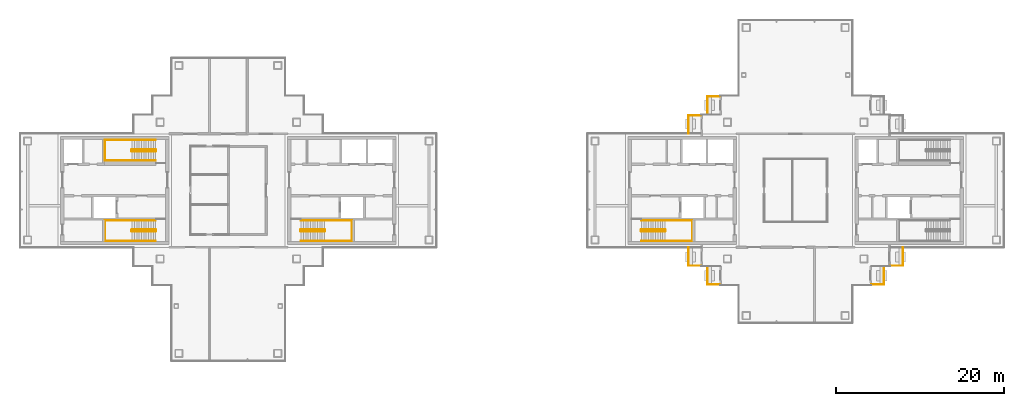
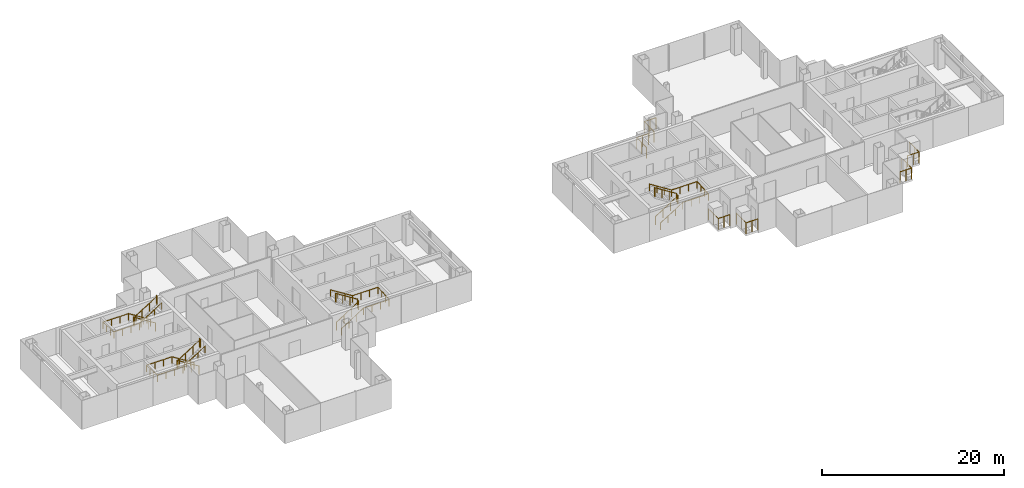
# One storey, part 14 of 16: 14 railings.
"""IFC4 building model written with IfcOpenShell, lengths in metres."""

from ifc_helpers import new_model, si_unit, direction, frame, origin, origin_2d, place, context, subcontext, project, spatial, circle, extrude, material, type_object, element, save


model = new_model("IFC4")

# Units and contexts
model_context = context("Model", 3, precision=1e-05, world=origin(), true_north=direction((0.0, 1.0)))
body_context = subcontext(model_context, "Body", "Model", "MODEL_VIEW")
ifc_project = project(units=[si_unit("LENGTHUNIT", "METRE"), si_unit("AREAUNIT", "SQUARE_METRE"), si_unit("VOLUMEUNIT", "CUBIC_METRE"), si_unit("PLANEANGLEUNIT", "RADIAN"), si_unit("MASSUNIT", "GRAM", prefix="KILO")], contexts=[model_context])

# Site, building, storey
site_placement = place(None, origin())
site = spatial("IfcSite", under=ifc_project, at=site_placement, CompositionType="ELEMENT")
building_placement = place(site_placement, origin())
building = spatial("IfcBuilding", under=site, at=building_placement, Name="Shamsa Quay Exchange Towers", CompositionType="ELEMENT")
storey_placement = place(building_placement, frame((0.0, 0.0, 242.10009765625)))
storey = spatial("IfcBuildingStorey", under=building, at=storey_placement, Name="L58", CompositionType="ELEMENT", Elevation=242.10009765625)

# Railings
ifc_material_1 = material(Name="Steel S355, black powder-coated", Category="steel")
railing_type_1 = type_object("IfcRailingType", Name="BALCONY GUARD 1500", PredefinedType="GUARDRAIL", material=ifc_material_1)
for number, where, name in (
    (1, (24.72900390625, 11.199951171875, 0.0), "Balcony guard T2-PKEN L58"),
    (2, (22.47900390625, 8.949951171875, 0.0), "Balcony guard T2-PKEN L58"),
):
    element("IfcRailing", number, at=place(storey_placement, frame(where)), inside=storey, type_object=railing_type_1, Name=name, PredefinedType="GUARDRAIL", context=body_context, shape_type="SweptSolid", body=[
        extrude(circle(Radius=0.02392578125, at=origin_2d()), frame((0.0, 0.0, 1.47607421875), z_axis=(-1.0, 0.0, 0.0), x_axis=(0.0, -1.0, 0.0)), (0.0, 0.0, 1.0), 1.47900390625),
        extrude(circle(Radius=0.02392578125, at=origin_2d()), frame((-1.47900390625, 0.0, 1.47607421875), z_axis=(0.0, -1.0, 0.0), x_axis=(1.0, 0.0, 0.0)), (0.0, 0.0, 1.0), 2.161865234375),
        extrude(circle(Radius=0.02099609375, at=origin_2d()), origin(), (0.0, 0.0, 1.0), 1.451904296875),
        extrude(circle(Radius=0.02099609375, at=origin_2d()), frame((-0.739501953125, 0.0, 0.0)), (0.0, 0.0, 1.0), 1.451904296875),
        extrude(circle(Radius=0.02099609375, at=origin_2d()), frame((-1.47900390625, 0.0, 0.0)), (0.0, 0.0, 1.0), 1.451904296875),
        extrude(circle(Radius=0.02099609375, at=origin_2d()), frame((-1.47900390625, -1.0810546875, 0.0)), (0.0, 0.0, 1.0), 1.451904296875),
        extrude(circle(Radius=0.02099609375, at=origin_2d()), frame((-1.47900390625, -2.161865234375, 0.0)), (0.0, 0.0, 1.0), 1.451904296875),
    ])
for number, where, name in (
    (3, (21.0, -6.7880859375, 0.0), "Balcony guard T2-PKWN L58"),
    (4, (23.25, -9.0380859375, 0.0), "Balcony guard T2-PKWN L58"),
):
    element("IfcRailing", number, at=place(storey_placement, frame(where)), inside=storey, type_object=railing_type_1, Name=name, PredefinedType="GUARDRAIL", context=body_context, shape_type="SweptSolid", body=[
        extrude(circle(Radius=0.02392578125, at=origin_2d()), frame((0.0, 0.0, 1.47607421875), z_axis=(0.0, -1.0, 0.0), x_axis=(1.0, 0.0, 0.0)), (0.0, 0.0, 1.0), 2.161865234375),
        extrude(circle(Radius=0.02392578125, at=origin_2d()), frame((0.0, -2.161865234375, 1.47607421875), z_axis=(1.0, 0.0, 0.0), x_axis=(0.0, 1.0, 0.0)), (0.0, 0.0, 1.0), 1.47900390625),
        extrude(circle(Radius=0.02099609375, at=origin_2d()), origin(), (0.0, 0.0, 1.0), 1.451904296875),
        extrude(circle(Radius=0.02099609375, at=origin_2d()), frame((0.0, -1.0810546875, 0.0)), (0.0, 0.0, 1.0), 1.451904296875),
        extrude(circle(Radius=0.02099609375, at=origin_2d()), frame((0.0, -2.161865234375, 0.0)), (0.0, 0.0, 1.0), 1.451904296875),
        extrude(circle(Radius=0.02099609375, at=origin_2d()), frame((0.739501953125, -2.161865234375, 0.0)), (0.0, 0.0, 1.0), 1.451904296875),
        extrude(circle(Radius=0.02099609375, at=origin_2d()), frame((1.47900390625, -2.161865234375, 0.0)), (0.0, 0.0, 1.0), 1.451904296875),
    ])
for number, where, name in (
    (5, (42.77099609375, -11.199951171875, 0.0), "Balcony guard T2-PKWS L58"),
    (6, (45.02099609375, -8.949951171875, 0.0), "Balcony guard T2-PKWS L58"),
):
    element("IfcRailing", number, at=place(storey_placement, frame(where)), inside=storey, type_object=railing_type_1, Name=name, PredefinedType="GUARDRAIL", context=body_context, shape_type="SweptSolid", body=[
        extrude(circle(Radius=0.02392578125, at=origin_2d()), frame((0.0, 0.0, 1.47607421875), z_axis=(1.0, 0.0, 0.0), x_axis=(0.0, 1.0, 0.0)), (0.0, 0.0, 1.0), 1.47900390625),
        extrude(circle(Radius=0.02392578125, at=origin_2d()), frame((1.47900390625, 0.0, 1.47607421875), z_axis=(0.0, 1.0, 0.0), x_axis=(-1.0, 0.0, 0.0)), (0.0, 0.0, 1.0), 2.161865234375),
        extrude(circle(Radius=0.02099609375, at=origin_2d()), origin(), (0.0, 0.0, 1.0), 1.451904296875),
        extrude(circle(Radius=0.02099609375, at=origin_2d()), frame((0.739501953125, 0.0, 0.0)), (0.0, 0.0, 1.0), 1.451904296875),
        extrude(circle(Radius=0.02099609375, at=origin_2d()), frame((1.47900390625, 0.0, 0.0)), (0.0, 0.0, 1.0), 1.451904296875),
        extrude(circle(Radius=0.02099609375, at=origin_2d()), frame((1.47900390625, 1.0810546875, 0.0)), (0.0, 0.0, 1.0), 1.451904296875),
        extrude(circle(Radius=0.02099609375, at=origin_2d()), frame((1.47900390625, 2.161865234375, 0.0)), (0.0, 0.0, 1.0), 1.451904296875),
    ])
ifc_material_2 = material(Name="Stainless steel", Category="steel")
railing_type_2 = type_object("IfcRailingType", Name="STAIR GUARD 1100", PredefinedType="GUARDRAIL", material=ifc_material_2)
railing_1_placement = place(storey_placement, frame((-25.10009765625, -4.89990234375, 0.17724609375)))
element("IfcRailing", 7, at=railing_1_placement, inside=storey, type_object=railing_type_2, Name="L58 ST1 stair guard 1", PredefinedType="GUARDRAIL", context=body_context, shape_type="SweptSolid", body=[
    extrude(circle(Radius=0.02392578125, at=origin_2d()), frame((0.0, 0.0, 1.076171875), z_axis=(0.844908973607, 0.0, 0.534910110503), x_axis=(0.0, 1.0, 0.0)), (0.0, 0.0, 1.0), 3.31396484375),
    extrude(circle(Radius=0.02392578125, at=origin_2d()), frame((2.800048828125, 0.0, 2.8486328125), z_axis=(0.708833529934, 0.705375805398, 0.0), x_axis=(-0.705375805398, 0.708833529934, 0.0)), (0.0, 0.0, 1.0), 0.070556640625),
    extrude(circle(Radius=0.02392578125, at=origin_2d()), frame((2.85009765625, 0.0498046875, 2.8486328125), z_axis=(0.0, 1.0, 0.0), x_axis=(-1.0, 0.0, 0.0)), (0.0, 0.0, 1.0), 0.150146484375),
    extrude(circle(Radius=0.02392578125, at=origin_2d()), frame((2.85009765625, 0.199951171875, 2.8486328125), z_axis=(-0.262233686654, 0.262233686654, 0.928691007369), x_axis=(-0.707106781187, -0.707106781187, 0.0)), (0.0, 0.0, 1.0), 0.19091796875),
    extrude(circle(Radius=0.02392578125, at=origin_2d()), frame((2.800048828125, 0.25, 3.02587890625), z_axis=(-0.844908973607, 0.0, 0.534910110503), x_axis=(0.0, -1.0, 0.0)), (0.0, 0.0, 1.0), 3.31396484375),
    extrude(circle(Radius=0.02392578125, at=origin_2d()), frame((0.0, 0.25, 4.798828125), z_axis=(-0.24142163986, -0.970420317083, 0.0), x_axis=(0.970420317083, -0.24142163986, 0.0)), (0.0, 0.0, 1.0), 0.206298828125),
    extrude(circle(Radius=0.02392578125, at=origin_2d()), frame((-0.0498046875, 0.0498046875, 4.798828125), z_axis=(0.0, 1.0, 0.0), x_axis=(-1.0, 0.0, 0.0)), (0.0, 0.0, 1.0), 0.150146484375),
    extrude(circle(Radius=0.02099609375, at=origin_2d()), origin(), (0.0, 0.0, 1.0), 1.052001953125),
    extrude(circle(Radius=0.02099609375, at=origin_2d()), frame((0.933349609375, 0.0, 0.5908203125)), (0.0, 0.0, 1.0), 1.052001953125),
    extrude(circle(Radius=0.02099609375, at=origin_2d()), frame((1.86669921875, 0.0, 1.181884765625)), (0.0, 0.0, 1.0), 1.052001953125),
    extrude(circle(Radius=0.02099609375, at=origin_2d()), frame((2.800048828125, 0.0, 1.772705078125)), (0.0, 0.0, 1.0), 1.052001953125),
    extrude(circle(Radius=0.02099609375, at=origin_2d()), frame((2.85009765625, 0.0498046875, 1.772705078125)), (0.0, 0.0, 1.0), 1.052001953125),
    extrude(circle(Radius=0.02099609375, at=origin_2d()), frame((2.85009765625, 0.199951171875, 1.772705078125)), (0.0, 0.0, 1.0), 1.052001953125),
    extrude(circle(Radius=0.02099609375, at=origin_2d()), frame((2.800048828125, 0.25, 1.949951171875)), (0.0, 0.0, 1.0), 1.052001953125),
    extrude(circle(Radius=0.02099609375, at=origin_2d()), frame((1.86669921875, 0.25, 2.540771484375)), (0.0, 0.0, 1.0), 1.052001953125),
    extrude(circle(Radius=0.02099609375, at=origin_2d()), frame((0.933349609375, 0.25, 3.1318359375)), (0.0, 0.0, 1.0), 1.052001953125),
    extrude(circle(Radius=0.02099609375, at=origin_2d()), frame((0.0, 0.25, 3.72265625)), (0.0, 0.0, 1.0), 1.052001953125),
    extrude(circle(Radius=0.02099609375, at=origin_2d()), frame((-0.0498046875, 0.0498046875, 3.72265625)), (0.0, 0.0, 1.0), 1.052001953125),
    extrude(circle(Radius=0.02099609375, at=origin_2d()), frame((-0.0498046875, 0.199951171875, 3.72265625)), (0.0, 0.0, 1.0), 1.052001953125),
])
railing_2_placement = place(storey_placement, frame((-42.39990234375, -4.64990234375, 0.17724609375)))
element("IfcRailing", 8, at=railing_2_placement, inside=storey, type_object=railing_type_2, Name="L58 ST2 stair guard 1", PredefinedType="GUARDRAIL", context=body_context, shape_type="SweptSolid", body=[
    extrude(circle(Radius=0.02392578125, at=origin_2d()), frame((0.0, 0.0, 1.076171875), z_axis=(-0.844908973607, 0.0, 0.534910110503), x_axis=(0.0, -1.0, 0.0)), (0.0, 0.0, 1.0), 3.31396484375),
    extrude(circle(Radius=0.02392578125, at=origin_2d()), frame((-2.800048828125, 0.0, 2.8486328125), z_axis=(-0.707106781187, -0.707106781187, 0.0), x_axis=(0.707106781187, -0.707106781187, 0.0)), (0.0, 0.0, 1.0), 0.07080078125),
    extrude(circle(Radius=0.02392578125, at=origin_2d()), frame((-2.85009765625, -0.050048828125, 2.8486328125), z_axis=(0.0, -1.0, 0.0), x_axis=(1.0, 0.0, 0.0)), (0.0, 0.0, 1.0), 0.150146484375),
    extrude(circle(Radius=0.02392578125, at=origin_2d()), frame((-2.85009765625, -0.2001953125, 2.8486328125), z_axis=(0.262321481514, -0.261041864531, 0.929001929653), x_axis=(0.705375805398, 0.708833529934, 0.0)), (0.0, 0.0, 1.0), 0.190673828125),
    extrude(circle(Radius=0.02392578125, at=origin_2d()), frame((-2.800048828125, -0.25, 3.02587890625), z_axis=(0.844908973607, 0.0, 0.534910110503), x_axis=(0.0, 1.0, 0.0)), (0.0, 0.0, 1.0), 3.31396484375),
    extrude(circle(Radius=0.02392578125, at=origin_2d()), frame((0.0, -0.25, 4.798828125), z_axis=(0.241699205484, 0.970351222016, 0.0), x_axis=(-0.970351222016, 0.241699205484, 0.0)), (0.0, 0.0, 1.0), 0.2060546875),
    extrude(circle(Radius=0.02392578125, at=origin_2d()), frame((0.0498046875, -0.050048828125, 4.798828125), z_axis=(0.0, -1.0, 0.0), x_axis=(1.0, 0.0, 0.0)), (0.0, 0.0, 1.0), 0.150146484375),
    extrude(circle(Radius=0.02099609375, at=origin_2d()), origin(), (0.0, 0.0, 1.0), 1.052001953125),
    extrude(circle(Radius=0.02099609375, at=origin_2d()), frame((-0.933349609375, 0.0, 0.5908203125)), (0.0, 0.0, 1.0), 1.052001953125),
    extrude(circle(Radius=0.02099609375, at=origin_2d()), frame((-1.86669921875, 0.0, 1.181884765625)), (0.0, 0.0, 1.0), 1.052001953125),
    extrude(circle(Radius=0.02099609375, at=origin_2d()), frame((-2.800048828125, 0.0, 1.772705078125)), (0.0, 0.0, 1.0), 1.052001953125),
    extrude(circle(Radius=0.02099609375, at=origin_2d()), frame((-2.85009765625, -0.050048828125, 1.772705078125)), (0.0, 0.0, 1.0), 1.052001953125),
    extrude(circle(Radius=0.02099609375, at=origin_2d()), frame((-2.85009765625, -0.2001953125, 1.772705078125)), (0.0, 0.0, 1.0), 1.052001953125),
    extrude(circle(Radius=0.02099609375, at=origin_2d()), frame((-2.800048828125, -0.25, 1.949951171875)), (0.0, 0.0, 1.0), 1.052001953125),
    extrude(circle(Radius=0.02099609375, at=origin_2d()), frame((-1.86669921875, -0.25, 2.540771484375)), (0.0, 0.0, 1.0), 1.052001953125),
    extrude(circle(Radius=0.02099609375, at=origin_2d()), frame((-0.933349609375, -0.25, 3.1318359375)), (0.0, 0.0, 1.0), 1.052001953125),
    extrude(circle(Radius=0.02099609375, at=origin_2d()), frame((0.0, -0.25, 3.72265625)), (0.0, 0.0, 1.0), 1.052001953125),
    extrude(circle(Radius=0.02099609375, at=origin_2d()), frame((0.0498046875, -0.050048828125, 3.72265625)), (0.0, 0.0, 1.0), 1.052001953125),
    extrude(circle(Radius=0.02099609375, at=origin_2d()), frame((0.0498046875, -0.2001953125, 3.72265625)), (0.0, 0.0, 1.0), 1.052001953125),
])
railing_3_placement = place(storey_placement, frame((-42.39990234375, 4.89990234375, 0.17724609375)))
element("IfcRailing", 9, at=railing_3_placement, inside=storey, type_object=railing_type_2, Name="L58 ST3 stair guard 1", PredefinedType="GUARDRAIL", context=body_context, shape_type="SweptSolid", body=[
    extrude(circle(Radius=0.02392578125, at=origin_2d()), frame((0.0, 0.0, 1.076171875), z_axis=(-0.844908973607, 0.0, 0.534910110503), x_axis=(0.0, -1.0, 0.0)), (0.0, 0.0, 1.0), 3.31396484375),
    extrude(circle(Radius=0.02392578125, at=origin_2d()), frame((-2.800048828125, 0.0, 2.8486328125), z_axis=(-0.708833529934, -0.705375805398, 0.0), x_axis=(0.705375805398, -0.708833529934, 0.0)), (0.0, 0.0, 1.0), 0.070556640625),
    extrude(circle(Radius=0.02392578125, at=origin_2d()), frame((-2.85009765625, -0.0498046875, 2.8486328125), z_axis=(0.0, -1.0, 0.0), x_axis=(1.0, 0.0, 0.0)), (0.0, 0.0, 1.0), 0.150146484375),
    extrude(circle(Radius=0.02392578125, at=origin_2d()), frame((-2.85009765625, -0.199951171875, 2.8486328125), z_axis=(0.262233686654, -0.262233686654, 0.928691007369), x_axis=(0.707106781187, 0.707106781187, 0.0)), (0.0, 0.0, 1.0), 0.19091796875),
    extrude(circle(Radius=0.02392578125, at=origin_2d()), frame((-2.800048828125, -0.25, 3.02587890625), z_axis=(0.844908973607, 0.0, 0.534910110503), x_axis=(0.0, 1.0, 0.0)), (0.0, 0.0, 1.0), 3.31396484375),
    extrude(circle(Radius=0.02392578125, at=origin_2d()), frame((0.0, -0.25, 4.798828125), z_axis=(0.24142163986, 0.970420317083, 0.0), x_axis=(-0.970420317083, 0.24142163986, 0.0)), (0.0, 0.0, 1.0), 0.206298828125),
    extrude(circle(Radius=0.02392578125, at=origin_2d()), frame((0.0498046875, -0.0498046875, 4.798828125), z_axis=(0.0, -1.0, 0.0), x_axis=(1.0, 0.0, 0.0)), (0.0, 0.0, 1.0), 0.150146484375),
    extrude(circle(Radius=0.02099609375, at=origin_2d()), origin(), (0.0, 0.0, 1.0), 1.052001953125),
    extrude(circle(Radius=0.02099609375, at=origin_2d()), frame((-0.933349609375, 0.0, 0.5908203125)), (0.0, 0.0, 1.0), 1.052001953125),
    extrude(circle(Radius=0.02099609375, at=origin_2d()), frame((-1.86669921875, 0.0, 1.181884765625)), (0.0, 0.0, 1.0), 1.052001953125),
    extrude(circle(Radius=0.02099609375, at=origin_2d()), frame((-2.800048828125, 0.0, 1.772705078125)), (0.0, 0.0, 1.0), 1.052001953125),
    extrude(circle(Radius=0.02099609375, at=origin_2d()), frame((-2.85009765625, -0.0498046875, 1.772705078125)), (0.0, 0.0, 1.0), 1.052001953125),
    extrude(circle(Radius=0.02099609375, at=origin_2d()), frame((-2.85009765625, -0.199951171875, 1.772705078125)), (0.0, 0.0, 1.0), 1.052001953125),
    extrude(circle(Radius=0.02099609375, at=origin_2d()), frame((-2.800048828125, -0.25, 1.949951171875)), (0.0, 0.0, 1.0), 1.052001953125),
    extrude(circle(Radius=0.02099609375, at=origin_2d()), frame((-1.86669921875, -0.25, 2.540771484375)), (0.0, 0.0, 1.0), 1.052001953125),
    extrude(circle(Radius=0.02099609375, at=origin_2d()), frame((-0.933349609375, -0.25, 3.1318359375)), (0.0, 0.0, 1.0), 1.052001953125),
    extrude(circle(Radius=0.02099609375, at=origin_2d()), frame((0.0, -0.25, 3.72265625)), (0.0, 0.0, 1.0), 1.052001953125),
    extrude(circle(Radius=0.02099609375, at=origin_2d()), frame((0.0498046875, -0.0498046875, 3.72265625)), (0.0, 0.0, 1.0), 1.052001953125),
    extrude(circle(Radius=0.02099609375, at=origin_2d()), frame((0.0498046875, -0.199951171875, 3.72265625)), (0.0, 0.0, 1.0), 1.052001953125),
])
railing_4_placement = place(storey_placement, frame((15.39990234375, -4.89990234375, 0.17724609375)))
element("IfcRailing", 10, at=railing_4_placement, inside=storey, type_object=railing_type_2, Name="L58 ST4 stair guard 1", PredefinedType="GUARDRAIL", context=body_context, shape_type="SweptSolid", body=[
    extrude(circle(Radius=0.02392578125, at=origin_2d()), frame((0.0, 0.0, 1.076171875), z_axis=(0.844908973607, 0.0, 0.534910110503), x_axis=(0.0, 1.0, 0.0)), (0.0, 0.0, 1.0), 3.31396484375),
    extrude(circle(Radius=0.02392578125, at=origin_2d()), frame((2.800048828125, 0.0, 2.8486328125), z_axis=(0.708833529934, 0.705375805398, 0.0), x_axis=(-0.705375805398, 0.708833529934, 0.0)), (0.0, 0.0, 1.0), 0.070556640625),
    extrude(circle(Radius=0.02392578125, at=origin_2d()), frame((2.85009765625, 0.0498046875, 2.8486328125), z_axis=(0.0, 1.0, 0.0), x_axis=(-1.0, 0.0, 0.0)), (0.0, 0.0, 1.0), 0.150146484375),
    extrude(circle(Radius=0.02392578125, at=origin_2d()), frame((2.85009765625, 0.199951171875, 2.8486328125), z_axis=(-0.262233686654, 0.262233686654, 0.928691007369), x_axis=(-0.707106781187, -0.707106781187, 0.0)), (0.0, 0.0, 1.0), 0.19091796875),
    extrude(circle(Radius=0.02392578125, at=origin_2d()), frame((2.800048828125, 0.25, 3.02587890625), z_axis=(-0.844908973607, 0.0, 0.534910110503), x_axis=(0.0, -1.0, 0.0)), (0.0, 0.0, 1.0), 3.31396484375),
    extrude(circle(Radius=0.02392578125, at=origin_2d()), frame((0.0, 0.25, 4.798828125), z_axis=(-0.24142163986, -0.970420317083, 0.0), x_axis=(0.970420317083, -0.24142163986, 0.0)), (0.0, 0.0, 1.0), 0.206298828125),
    extrude(circle(Radius=0.02392578125, at=origin_2d()), frame((-0.0498046875, 0.0498046875, 4.798828125), z_axis=(0.0, 1.0, 0.0), x_axis=(-1.0, 0.0, 0.0)), (0.0, 0.0, 1.0), 0.150146484375),
    extrude(circle(Radius=0.02099609375, at=origin_2d()), origin(), (0.0, 0.0, 1.0), 1.052001953125),
    extrude(circle(Radius=0.02099609375, at=origin_2d()), frame((0.933349609375, 0.0, 0.5908203125)), (0.0, 0.0, 1.0), 1.052001953125),
    extrude(circle(Radius=0.02099609375, at=origin_2d()), frame((1.86669921875, 0.0, 1.181884765625)), (0.0, 0.0, 1.0), 1.052001953125),
    extrude(circle(Radius=0.02099609375, at=origin_2d()), frame((2.800048828125, 0.0, 1.772705078125)), (0.0, 0.0, 1.0), 1.052001953125),
    extrude(circle(Radius=0.02099609375, at=origin_2d()), frame((2.85009765625, 0.0498046875, 1.772705078125)), (0.0, 0.0, 1.0), 1.052001953125),
    extrude(circle(Radius=0.02099609375, at=origin_2d()), frame((2.85009765625, 0.199951171875, 1.772705078125)), (0.0, 0.0, 1.0), 1.052001953125),
    extrude(circle(Radius=0.02099609375, at=origin_2d()), frame((2.800048828125, 0.25, 1.949951171875)), (0.0, 0.0, 1.0), 1.052001953125),
    extrude(circle(Radius=0.02099609375, at=origin_2d()), frame((1.86669921875, 0.25, 2.540771484375)), (0.0, 0.0, 1.0), 1.052001953125),
    extrude(circle(Radius=0.02099609375, at=origin_2d()), frame((0.933349609375, 0.25, 3.1318359375)), (0.0, 0.0, 1.0), 1.052001953125),
    extrude(circle(Radius=0.02099609375, at=origin_2d()), frame((0.0, 0.25, 3.72265625)), (0.0, 0.0, 1.0), 1.052001953125),
    extrude(circle(Radius=0.02099609375, at=origin_2d()), frame((-0.0498046875, 0.0498046875, 3.72265625)), (0.0, 0.0, 1.0), 1.052001953125),
    extrude(circle(Radius=0.02099609375, at=origin_2d()), frame((-0.0498046875, 0.199951171875, 3.72265625)), (0.0, 0.0, 1.0), 1.052001953125),
])
railing_type_3 = type_object("IfcRailingType", Name="STAIR HANDRAIL 900", PredefinedType="HANDRAIL", material=ifc_material_2)
railing_5_placement = place(storey_placement, frame((-25.10009765625, -6.0, 0.17724609375)))
element("IfcRailing", 11, at=railing_5_placement, inside=storey, type_object=railing_type_3, Name="L58 ST1 stair handrail 1", PredefinedType="HANDRAIL", context=body_context, shape_type="SweptSolid", body=[
    extrude(circle(Radius=0.02392578125, at=origin_2d()), frame((0.0, 0.0, 0.8759765625), z_axis=(0.844908973607, 0.0, 0.534910110503), x_axis=(0.0, 1.0, 0.0)), (0.0, 0.0, 1.0), 3.31396484375),
    extrude(circle(Radius=0.02392578125, at=origin_2d()), frame((2.800048828125, 0.0, 2.6484375), z_axis=(1.0, 0.0, 0.0), x_axis=(0.0, 1.0, 0.0)), (0.0, 0.0, 1.0), 3.25),
    extrude(circle(Radius=0.02392578125, at=origin_2d()), frame((6.050048828125, 0.0, 2.6484375), z_axis=(0.0, 0.997393199914, 0.07215819264), x_axis=(-1.0, 0.0, 0.0)), (0.0, 0.0, 1.0), 2.456298828125),
    extrude(circle(Radius=0.02392578125, at=origin_2d()), frame((6.050048828125, 2.449951171875, 2.82568359375), z_axis=(-1.0, 0.0, 0.0), x_axis=(0.0, -1.0, 0.0)), (0.0, 0.0, 1.0), 3.25),
    extrude(circle(Radius=0.02392578125, at=origin_2d()), frame((2.800048828125, 2.449951171875, 2.82568359375), z_axis=(-0.844908973607, 0.0, 0.534910110503), x_axis=(0.0, -1.0, 0.0)), (0.0, 0.0, 1.0), 3.31396484375),
    extrude(circle(Radius=0.02099609375, at=origin_2d()), origin(), (0.0, 0.0, 1.0), 0.851806640625),
    extrude(circle(Radius=0.02099609375, at=origin_2d()), frame((0.933349609375, 0.0, 0.5908203125)), (0.0, 0.0, 1.0), 0.851806640625),
    extrude(circle(Radius=0.02099609375, at=origin_2d()), frame((1.86669921875, 0.0, 1.181884765625)), (0.0, 0.0, 1.0), 0.851806640625),
    extrude(circle(Radius=0.02099609375, at=origin_2d()), frame((2.800048828125, 0.0, 1.772705078125)), (0.0, 0.0, 1.0), 0.851806640625),
    extrude(circle(Radius=0.02099609375, at=origin_2d()), frame((3.88330078125, 0.0, 1.772705078125)), (0.0, 0.0, 1.0), 0.851806640625),
    extrude(circle(Radius=0.02099609375, at=origin_2d()), frame((4.966796875, 0.0, 1.772705078125)), (0.0, 0.0, 1.0), 0.851806640625),
    extrude(circle(Radius=0.02099609375, at=origin_2d()), frame((6.050048828125, 0.0, 1.772705078125)), (0.0, 0.0, 1.0), 0.851806640625),
    extrude(circle(Radius=0.02099609375, at=origin_2d()), frame((6.050048828125, 0.816650390625, 1.831787109375)), (0.0, 0.0, 1.0), 0.851806640625),
    extrude(circle(Radius=0.02099609375, at=origin_2d()), frame((6.050048828125, 1.63330078125, 1.890869140625)), (0.0, 0.0, 1.0), 0.851806640625),
    extrude(circle(Radius=0.02099609375, at=origin_2d()), frame((6.050048828125, 2.449951171875, 1.949951171875)), (0.0, 0.0, 1.0), 0.851806640625),
    extrude(circle(Radius=0.02099609375, at=origin_2d()), frame((4.966796875, 2.449951171875, 1.949951171875)), (0.0, 0.0, 1.0), 0.851806640625),
    extrude(circle(Radius=0.02099609375, at=origin_2d()), frame((3.88330078125, 2.449951171875, 1.949951171875)), (0.0, 0.0, 1.0), 0.851806640625),
    extrude(circle(Radius=0.02099609375, at=origin_2d()), frame((2.800048828125, 2.449951171875, 1.949951171875)), (0.0, 0.0, 1.0), 0.851806640625),
    extrude(circle(Radius=0.02099609375, at=origin_2d()), frame((1.86669921875, 2.449951171875, 2.540771484375)), (0.0, 0.0, 1.0), 0.851806640625),
    extrude(circle(Radius=0.02099609375, at=origin_2d()), frame((0.933349609375, 2.449951171875, 3.1318359375)), (0.0, 0.0, 1.0), 0.851806640625),
    extrude(circle(Radius=0.02099609375, at=origin_2d()), frame((0.0, 2.449951171875, 3.72265625)), (0.0, 0.0, 1.0), 0.851806640625),
])
railing_6_placement = place(storey_placement, frame((-42.39990234375, -3.550048828125, 0.17724609375)))
element("IfcRailing", 12, at=railing_6_placement, inside=storey, type_object=railing_type_3, Name="L58 ST2 stair handrail 1", PredefinedType="HANDRAIL", context=body_context, shape_type="SweptSolid", body=[
    extrude(circle(Radius=0.02392578125, at=origin_2d()), frame((0.0, 0.0, 0.8759765625), z_axis=(-0.844908973607, 0.0, 0.534910110503), x_axis=(0.0, -1.0, 0.0)), (0.0, 0.0, 1.0), 3.31396484375),
    extrude(circle(Radius=0.02392578125, at=origin_2d()), frame((-2.800048828125, 0.0, 2.6484375), z_axis=(-1.0, 0.0, 0.0), x_axis=(0.0, -1.0, 0.0)), (0.0, 0.0, 1.0), 3.25),
    extrude(circle(Radius=0.02392578125, at=origin_2d()), frame((-6.050048828125, 0.0, 2.6484375), z_axis=(0.0, -0.997393199914, 0.07215819264), x_axis=(1.0, 0.0, 0.0)), (0.0, 0.0, 1.0), 2.456298828125),
    extrude(circle(Radius=0.02392578125, at=origin_2d()), frame((-6.050048828125, -2.449951171875, 2.82568359375), z_axis=(1.0, 0.0, 0.0), x_axis=(0.0, 1.0, 0.0)), (0.0, 0.0, 1.0), 3.25),
    extrude(circle(Radius=0.02392578125, at=origin_2d()), frame((-2.800048828125, -2.449951171875, 2.82568359375), z_axis=(0.844908973607, 0.0, 0.534910110503), x_axis=(0.0, 1.0, 0.0)), (0.0, 0.0, 1.0), 3.31396484375),
    extrude(circle(Radius=0.02099609375, at=origin_2d()), origin(), (0.0, 0.0, 1.0), 0.851806640625),
    extrude(circle(Radius=0.02099609375, at=origin_2d()), frame((-0.933349609375, 0.0, 0.5908203125)), (0.0, 0.0, 1.0), 0.851806640625),
    extrude(circle(Radius=0.02099609375, at=origin_2d()), frame((-1.86669921875, 0.0, 1.181884765625)), (0.0, 0.0, 1.0), 0.851806640625),
    extrude(circle(Radius=0.02099609375, at=origin_2d()), frame((-2.800048828125, 0.0, 1.772705078125)), (0.0, 0.0, 1.0), 0.851806640625),
    extrude(circle(Radius=0.02099609375, at=origin_2d()), frame((-3.88330078125, 0.0, 1.772705078125)), (0.0, 0.0, 1.0), 0.851806640625),
    extrude(circle(Radius=0.02099609375, at=origin_2d()), frame((-4.966796875, 0.0, 1.772705078125)), (0.0, 0.0, 1.0), 0.851806640625),
    extrude(circle(Radius=0.02099609375, at=origin_2d()), frame((-6.050048828125, 0.0, 1.772705078125)), (0.0, 0.0, 1.0), 0.851806640625),
    extrude(circle(Radius=0.02099609375, at=origin_2d()), frame((-6.050048828125, -0.816650390625, 1.831787109375)), (0.0, 0.0, 1.0), 0.851806640625),
    extrude(circle(Radius=0.02099609375, at=origin_2d()), frame((-6.050048828125, -1.63330078125, 1.890869140625)), (0.0, 0.0, 1.0), 0.851806640625),
    extrude(circle(Radius=0.02099609375, at=origin_2d()), frame((-6.050048828125, -2.449951171875, 1.949951171875)), (0.0, 0.0, 1.0), 0.851806640625),
    extrude(circle(Radius=0.02099609375, at=origin_2d()), frame((-4.966796875, -2.449951171875, 1.949951171875)), (0.0, 0.0, 1.0), 0.851806640625),
    extrude(circle(Radius=0.02099609375, at=origin_2d()), frame((-3.88330078125, -2.449951171875, 1.949951171875)), (0.0, 0.0, 1.0), 0.851806640625),
    extrude(circle(Radius=0.02099609375, at=origin_2d()), frame((-2.800048828125, -2.449951171875, 1.949951171875)), (0.0, 0.0, 1.0), 0.851806640625),
    extrude(circle(Radius=0.02099609375, at=origin_2d()), frame((-1.86669921875, -2.449951171875, 2.540771484375)), (0.0, 0.0, 1.0), 0.851806640625),
    extrude(circle(Radius=0.02099609375, at=origin_2d()), frame((-0.933349609375, -2.449951171875, 3.1318359375)), (0.0, 0.0, 1.0), 0.851806640625),
    extrude(circle(Radius=0.02099609375, at=origin_2d()), frame((0.0, -2.449951171875, 3.72265625)), (0.0, 0.0, 1.0), 0.851806640625),
])
railing_7_placement = place(storey_placement, frame((-42.39990234375, 6.0, 0.17724609375)))
element("IfcRailing", 13, at=railing_7_placement, inside=storey, type_object=railing_type_3, Name="L58 ST3 stair handrail 1", PredefinedType="HANDRAIL", context=body_context, shape_type="SweptSolid", body=[
    extrude(circle(Radius=0.02392578125, at=origin_2d()), frame((0.0, 0.0, 0.8759765625), z_axis=(-0.844908973607, 0.0, 0.534910110503), x_axis=(0.0, -1.0, 0.0)), (0.0, 0.0, 1.0), 3.31396484375),
    extrude(circle(Radius=0.02392578125, at=origin_2d()), frame((-2.800048828125, 0.0, 2.6484375), z_axis=(-1.0, 0.0, 0.0), x_axis=(0.0, -1.0, 0.0)), (0.0, 0.0, 1.0), 3.25),
    extrude(circle(Radius=0.02392578125, at=origin_2d()), frame((-6.050048828125, 0.0, 2.6484375), z_axis=(0.0, -0.997393199914, 0.07215819264), x_axis=(1.0, 0.0, 0.0)), (0.0, 0.0, 1.0), 2.456298828125),
    extrude(circle(Radius=0.02392578125, at=origin_2d()), frame((-6.050048828125, -2.449951171875, 2.82568359375), z_axis=(1.0, 0.0, 0.0), x_axis=(0.0, 1.0, 0.0)), (0.0, 0.0, 1.0), 3.25),
    extrude(circle(Radius=0.02392578125, at=origin_2d()), frame((-2.800048828125, -2.449951171875, 2.82568359375), z_axis=(0.844908973607, 0.0, 0.534910110503), x_axis=(0.0, 1.0, 0.0)), (0.0, 0.0, 1.0), 3.31396484375),
    extrude(circle(Radius=0.02099609375, at=origin_2d()), origin(), (0.0, 0.0, 1.0), 0.851806640625),
    extrude(circle(Radius=0.02099609375, at=origin_2d()), frame((-0.933349609375, 0.0, 0.5908203125)), (0.0, 0.0, 1.0), 0.851806640625),
    extrude(circle(Radius=0.02099609375, at=origin_2d()), frame((-1.86669921875, 0.0, 1.181884765625)), (0.0, 0.0, 1.0), 0.851806640625),
    extrude(circle(Radius=0.02099609375, at=origin_2d()), frame((-2.800048828125, 0.0, 1.772705078125)), (0.0, 0.0, 1.0), 0.851806640625),
    extrude(circle(Radius=0.02099609375, at=origin_2d()), frame((-3.88330078125, 0.0, 1.772705078125)), (0.0, 0.0, 1.0), 0.851806640625),
    extrude(circle(Radius=0.02099609375, at=origin_2d()), frame((-4.966796875, 0.0, 1.772705078125)), (0.0, 0.0, 1.0), 0.851806640625),
    extrude(circle(Radius=0.02099609375, at=origin_2d()), frame((-6.050048828125, 0.0, 1.772705078125)), (0.0, 0.0, 1.0), 0.851806640625),
    extrude(circle(Radius=0.02099609375, at=origin_2d()), frame((-6.050048828125, -0.816650390625, 1.831787109375)), (0.0, 0.0, 1.0), 0.851806640625),
    extrude(circle(Radius=0.02099609375, at=origin_2d()), frame((-6.050048828125, -1.63330078125, 1.890869140625)), (0.0, 0.0, 1.0), 0.851806640625),
    extrude(circle(Radius=0.02099609375, at=origin_2d()), frame((-6.050048828125, -2.449951171875, 1.949951171875)), (0.0, 0.0, 1.0), 0.851806640625),
    extrude(circle(Radius=0.02099609375, at=origin_2d()), frame((-4.966796875, -2.449951171875, 1.949951171875)), (0.0, 0.0, 1.0), 0.851806640625),
    extrude(circle(Radius=0.02099609375, at=origin_2d()), frame((-3.88330078125, -2.449951171875, 1.949951171875)), (0.0, 0.0, 1.0), 0.851806640625),
    extrude(circle(Radius=0.02099609375, at=origin_2d()), frame((-2.800048828125, -2.449951171875, 1.949951171875)), (0.0, 0.0, 1.0), 0.851806640625),
    extrude(circle(Radius=0.02099609375, at=origin_2d()), frame((-1.86669921875, -2.449951171875, 2.540771484375)), (0.0, 0.0, 1.0), 0.851806640625),
    extrude(circle(Radius=0.02099609375, at=origin_2d()), frame((-0.933349609375, -2.449951171875, 3.1318359375)), (0.0, 0.0, 1.0), 0.851806640625),
    extrude(circle(Radius=0.02099609375, at=origin_2d()), frame((0.0, -2.449951171875, 3.72265625)), (0.0, 0.0, 1.0), 0.851806640625),
])
railing_8_placement = place(storey_placement, frame((15.39990234375, -6.0, 0.17724609375)))
element("IfcRailing", 14, at=railing_8_placement, inside=storey, type_object=railing_type_3, Name="L58 ST4 stair handrail 1", PredefinedType="HANDRAIL", context=body_context, shape_type="SweptSolid", body=[
    extrude(circle(Radius=0.02392578125, at=origin_2d()), frame((0.0, 0.0, 0.8759765625), z_axis=(0.844908973607, 0.0, 0.534910110503), x_axis=(0.0, 1.0, 0.0)), (0.0, 0.0, 1.0), 3.31396484375),
    extrude(circle(Radius=0.02392578125, at=origin_2d()), frame((2.800048828125, 0.0, 2.6484375), z_axis=(1.0, 0.0, 0.0), x_axis=(0.0, 1.0, 0.0)), (0.0, 0.0, 1.0), 3.25),
    extrude(circle(Radius=0.02392578125, at=origin_2d()), frame((6.050048828125, 0.0, 2.6484375), z_axis=(0.0, 0.997393199914, 0.07215819264), x_axis=(-1.0, 0.0, 0.0)), (0.0, 0.0, 1.0), 2.456298828125),
    extrude(circle(Radius=0.02392578125, at=origin_2d()), frame((6.050048828125, 2.449951171875, 2.82568359375), z_axis=(-1.0, 0.0, 0.0), x_axis=(0.0, -1.0, 0.0)), (0.0, 0.0, 1.0), 3.25),
    extrude(circle(Radius=0.02392578125, at=origin_2d()), frame((2.800048828125, 2.449951171875, 2.82568359375), z_axis=(-0.844908973607, 0.0, 0.534910110503), x_axis=(0.0, -1.0, 0.0)), (0.0, 0.0, 1.0), 3.31396484375),
    extrude(circle(Radius=0.02099609375, at=origin_2d()), origin(), (0.0, 0.0, 1.0), 0.851806640625),
    extrude(circle(Radius=0.02099609375, at=origin_2d()), frame((0.933349609375, 0.0, 0.5908203125)), (0.0, 0.0, 1.0), 0.851806640625),
    extrude(circle(Radius=0.02099609375, at=origin_2d()), frame((1.86669921875, 0.0, 1.181884765625)), (0.0, 0.0, 1.0), 0.851806640625),
    extrude(circle(Radius=0.02099609375, at=origin_2d()), frame((2.800048828125, 0.0, 1.772705078125)), (0.0, 0.0, 1.0), 0.851806640625),
    extrude(circle(Radius=0.02099609375, at=origin_2d()), frame((3.88330078125, 0.0, 1.772705078125)), (0.0, 0.0, 1.0), 0.851806640625),
    extrude(circle(Radius=0.02099609375, at=origin_2d()), frame((4.966796875, 0.0, 1.772705078125)), (0.0, 0.0, 1.0), 0.851806640625),
    extrude(circle(Radius=0.02099609375, at=origin_2d()), frame((6.050048828125, 0.0, 1.772705078125)), (0.0, 0.0, 1.0), 0.851806640625),
    extrude(circle(Radius=0.02099609375, at=origin_2d()), frame((6.050048828125, 0.816650390625, 1.831787109375)), (0.0, 0.0, 1.0), 0.851806640625),
    extrude(circle(Radius=0.02099609375, at=origin_2d()), frame((6.050048828125, 1.63330078125, 1.890869140625)), (0.0, 0.0, 1.0), 0.851806640625),
    extrude(circle(Radius=0.02099609375, at=origin_2d()), frame((6.050048828125, 2.449951171875, 1.949951171875)), (0.0, 0.0, 1.0), 0.851806640625),
    extrude(circle(Radius=0.02099609375, at=origin_2d()), frame((4.966796875, 2.449951171875, 1.949951171875)), (0.0, 0.0, 1.0), 0.851806640625),
    extrude(circle(Radius=0.02099609375, at=origin_2d()), frame((3.88330078125, 2.449951171875, 1.949951171875)), (0.0, 0.0, 1.0), 0.851806640625),
    extrude(circle(Radius=0.02099609375, at=origin_2d()), frame((2.800048828125, 2.449951171875, 1.949951171875)), (0.0, 0.0, 1.0), 0.851806640625),
    extrude(circle(Radius=0.02099609375, at=origin_2d()), frame((1.86669921875, 2.449951171875, 2.540771484375)), (0.0, 0.0, 1.0), 0.851806640625),
    extrude(circle(Radius=0.02099609375, at=origin_2d()), frame((0.933349609375, 2.449951171875, 3.1318359375)), (0.0, 0.0, 1.0), 0.851806640625),
    extrude(circle(Radius=0.02099609375, at=origin_2d()), frame((0.0, 2.449951171875, 3.72265625)), (0.0, 0.0, 1.0), 0.851806640625),
])

save(model, "model.ifc")
